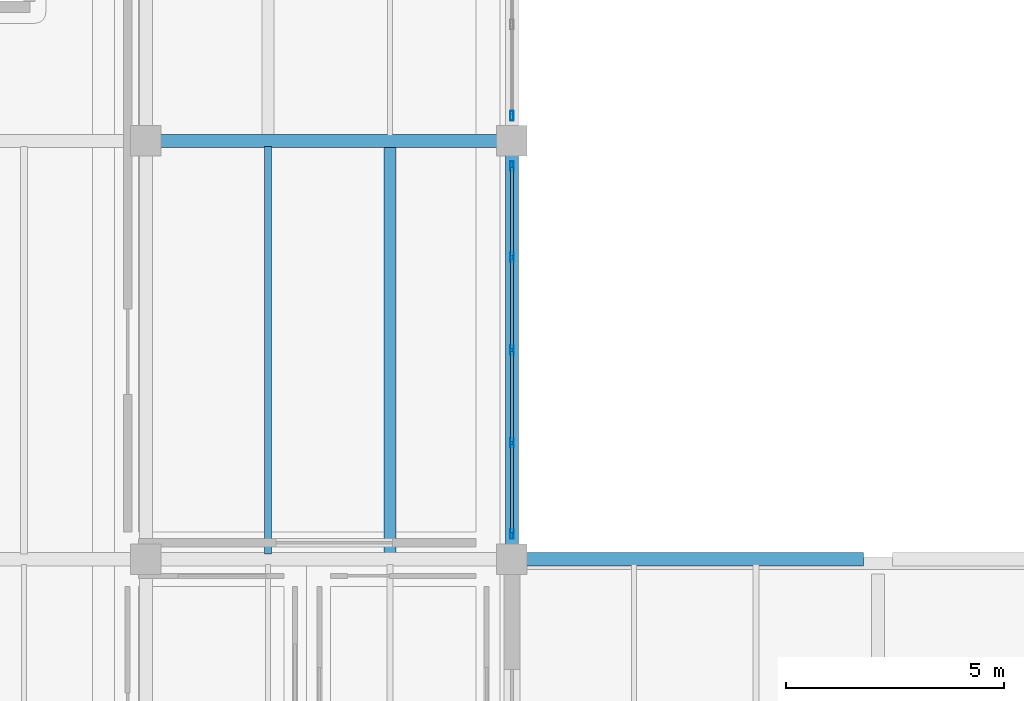
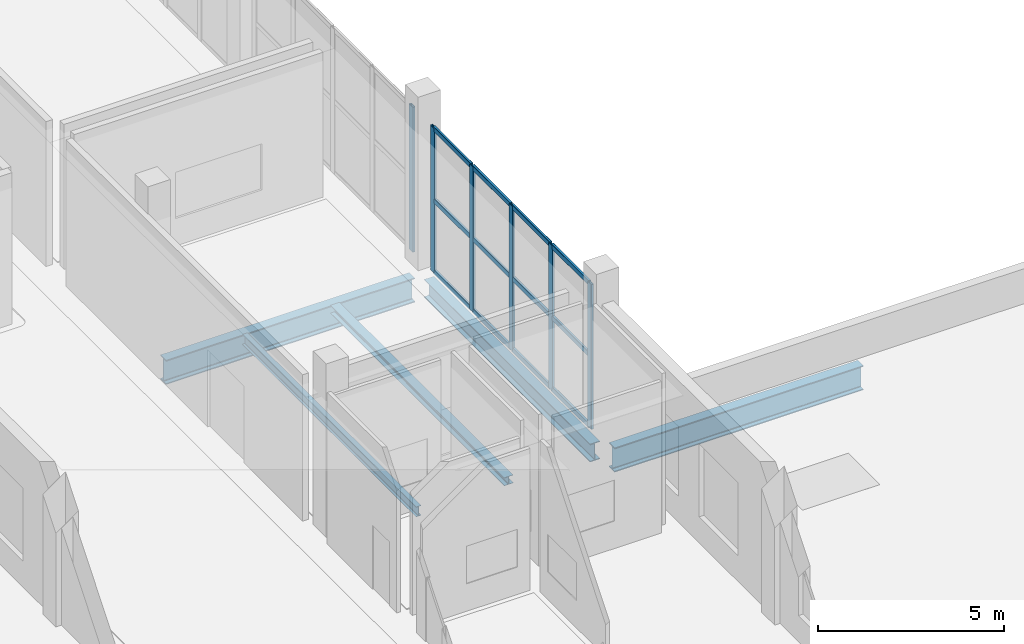
# One storey, part 20 of 49: 18 members, 5 beams, 2 elements without a shape of their own.
"""IFC4 building model written with IfcOpenShell, lengths in metres."""

from ifc_helpers import new_model, si_unit, direction, frame, origin, origin_2d, place, context, subcontext, project, spatial, hollow_rectangle, i_section, extrude, material, layer, layer_set, material_profile, profile_set, type_object, element, aggregate, save


model = new_model("IFC4")

# Units and contexts
model_context = context("Model", 3, precision=1e-05, world=origin(), true_north=direction((0.0, 1.0)))
body_context = subcontext(model_context, "Body", "Model", "MODEL_VIEW")
ifc_project = project(units=[si_unit("LENGTHUNIT", "METRE"), si_unit("AREAUNIT", "SQUARE_METRE"), si_unit("VOLUMEUNIT", "CUBIC_METRE"), si_unit("PLANEANGLEUNIT", "RADIAN"), si_unit("MASSUNIT", "GRAM", prefix="KILO")], contexts=[model_context])

# Site, building, storey
site_placement = place(None, origin())
site = spatial("IfcSite", under=ifc_project, at=site_placement, CompositionType="ELEMENT")
building_placement = place(site_placement, origin())
building = spatial("IfcBuilding", under=site, at=building_placement, Name="Zulmaris Art Gallery", CompositionType="ELEMENT")
storey_placement = place(building_placement, frame((0.0, 0.0, 20.699951171875)))
storey = spatial("IfcBuildingStorey", under=building, at=storey_placement, Name="L04", CompositionType="ELEMENT", Elevation=20.699951171875)

# Beams
ifc_material_1 = material(Name="Steel S355J2", Category="steel")
ifc_material_profile_1 = material_profile(ifc_material_1, i_section(OverallWidth=0.300048828125, OverallDepth=0.590087890625, WebThickness=0.012939453125, FlangeThickness=0.02490234375, FilletRadius=0.027099609375, at=origin_2d()), Name="HEA 600")
ifc_profile_set_1 = profile_set([ifc_material_profile_1], Name="Steel S355J2")
beam_type_1 = type_object("IfcBeamType", Name="BEAM-BM12", PredefinedType="BEAM", material=ifc_profile_set_1)
beam_1_placement = place(storey_placement, frame((158.39990234375, 31.534912109375, -0.655029296875), z_axis=(0.0, 1.0, 0.0), x_axis=(-1.0, 0.0, 0.0)))
element("IfcBeam", 1, at=beam_1_placement, inside=storey, type_object=beam_type_1, Name="L04 Y-girder (x=158.4, 31.2..40.8)", PredefinedType="BEAM", context=body_context, shape_type="SweptSolid", body=[
    extrude(i_section(OverallWidth=0.300048828125, OverallDepth=0.590087890625, WebThickness=0.012939453125, FlangeThickness=0.02490234375, FilletRadius=0.027099609375, at=origin_2d()), origin(), (0.0, 0.0, 1.0), 8.93017578125),
])
ifc_material_profile_2 = material_profile(ifc_material_1, i_section(OverallWidth=0.300048828125, OverallDepth=0.800048828125, WebThickness=0.017578125, FlangeThickness=0.032958984375, FilletRadius=0.030029296875, at=origin_2d()), Name="HEB 800")
ifc_profile_set_2 = profile_set([ifc_material_profile_2], Name="Steel S355J2")
beam_type_2 = type_object("IfcBeamType", Name="BEAM-BM17", PredefinedType="BEAM", material=ifc_profile_set_2)
for number, where, z_axis, x_axis, name in (
    (2, (158.735107421875, 31.199951171875, -0.760009765625), (1.0, 0.0, 0.0), (0.0, 1.0, 0.0), "L04 X-girder (158.4..166.8, y=31.2)"),
    (3, (150.3349609375, 40.800048828125, -0.760009765625), (1.0, 0.0, 0.0), (0.0, 1.0, 0.0), "L04 X-girder (150.0..158.4, y=40.8)"),
):
    element("IfcBeam", number, at=place(storey_placement, frame(where, z_axis=z_axis, x_axis=x_axis)), inside=storey, type_object=beam_type_2, Name=name, PredefinedType="BEAM", context=body_context, shape_type="SweptSolid", body=[
        extrude(i_section(OverallWidth=0.300048828125, OverallDepth=0.800048828125, WebThickness=0.017578125, FlangeThickness=0.032958984375, FilletRadius=0.030029296875, at=origin_2d()), origin(), (0.0, 0.0, 1.0), 7.72998046875),
    ])
ifc_material_profile_3 = material_profile(ifc_material_1, i_section(OverallWidth=0.159912109375, OverallDepth=0.330078125, WebThickness=0.007568359375, FlangeThickness=0.011474609375, FilletRadius=0.01806640625, at=origin_2d()), Name="IPE 330")
ifc_profile_set_3 = profile_set([ifc_material_profile_3], Name="Steel S355J2")
beam_type_3 = type_object("IfcBeamType", Name="BEAM-JS03", PredefinedType="JOIST", material=ifc_profile_set_3)
beam_2_placement = place(storey_placement, frame((152.800048828125, 31.324951171875, -0.52490234375), z_axis=(0.0, 1.0, 0.0), x_axis=(-1.0, 0.0, 0.0)))
element("IfcBeam", 4, at=beam_2_placement, inside=storey, type_object=beam_type_3, Name="L04 secondary joist at x=152.8", PredefinedType="JOIST", context=body_context, shape_type="SweptSolid", body=[
    extrude(i_section(OverallWidth=0.159912109375, OverallDepth=0.330078125, WebThickness=0.007568359375, FlangeThickness=0.011474609375, FilletRadius=0.01806640625, at=origin_2d()), origin(), (0.0, 0.0, 1.0), 9.35009765625),
])
ifc_material_profile_4 = material_profile(ifc_material_1, i_section(OverallWidth=0.280029296875, OverallDepth=0.27001953125, WebThickness=0.008056640625, FlangeThickness=0.012939453125, FilletRadius=0.02392578125, at=origin_2d()), Name="HEA 280")
ifc_profile_set_4 = profile_set([ifc_material_profile_4], Name="Steel S355J2")
beam_type_4 = type_object("IfcBeamType", Name="BEAM-JS04", PredefinedType="JOIST", material=ifc_profile_set_4)
beam_3_placement = place(storey_placement, frame((155.60009765625, 31.324951171875, -0.494873046875), z_axis=(0.0, 1.0, 0.0), x_axis=(-1.0, 0.0, 0.0)))
element("IfcBeam", 5, at=beam_3_placement, inside=storey, type_object=beam_type_4, Name="L04 secondary joist at x=155.6", PredefinedType="JOIST", context=body_context, shape_type="SweptSolid", body=[
    extrude(i_section(OverallWidth=0.280029296875, OverallDepth=0.27001953125, WebThickness=0.008056640625, FlangeThickness=0.012939453125, FilletRadius=0.02392578125, at=origin_2d()), origin(), (0.0, 0.0, 1.0), 9.35009765625),
])

# Curtain wall, members
ifc_material_2 = material(Name="Courtyard Artists Studio Curtain Wall", Category="aluminium")
ifc_layer = layer(ifc_material_2, 0.179931640625)
ifc_layer_set = layer_set([ifc_layer], Name="Courtyard Artists Studio Curtain Wall")
curtain_wall_type = type_object("IfcCurtainWallType", Name="CW-CW04", PredefinedType="NOTDEFINED", material=ifc_layer_set)
curtain_wall_1_placement = place(storey_placement, origin())
curtain_wall_1 = element("IfcCurtainWall", 6, at=curtain_wall_1_placement, inside=storey, type_object=curtain_wall_type, Name="L04 curtain wall 159", PredefinedType="NOTDEFINED")
ifc_material_3 = material(Name="Anodised Bronze Aluminium", Category="aluminium")
ifc_material_profile_5 = material_profile(ifc_material_3, hollow_rectangle(XDim=0.074951171875, YDim=0.219970703125, WallThickness=0.0048828125, InnerFilletRadius=0.007568359375, OuterFilletRadius=0.012451171875, at=origin_2d()), Name="ALU 75x220x5")
ifc_profile_set_5 = profile_set([ifc_material_profile_5], Name="Anodised Bronze Aluminium")
member_type_1 = type_object("IfcMemberType", Name="CWMUL-02", PredefinedType="MULLION", material=ifc_profile_set_5)
member_1_placement = place(storey_placement, frame((158.39990234375, 31.777587890625, 0.0), z_axis=(0.0, 0.0, 1.0), x_axis=(-1.0, 0.0, 0.0)))
member_1 = element("IfcMember", 7, at=member_1_placement, type_object=member_type_1, Name="CW04 mullion 1", PredefinedType="MULLION", context=body_context, shape_type="SweptSolid", body=[
    extrude(hollow_rectangle(XDim=0.074951171875, YDim=0.219970703125, WallThickness=0.0048828125, InnerFilletRadius=0.007568359375, OuterFilletRadius=0.012451171875, at=origin_2d()), origin(), (0.0, 0.0, 1.0), 4.760009765625),
])
member_2_placement = place(storey_placement, frame((158.39990234375, 33.8701171875, 0.0), z_axis=(0.0, 0.0, 1.0), x_axis=(-1.0, 0.0, 0.0)))
member_2 = element("IfcMember", 8, at=member_2_placement, type_object=member_type_1, Name="CW04 mullion 2", PredefinedType="MULLION", context=body_context, shape_type="SweptSolid", body=[
    extrude(hollow_rectangle(XDim=0.074951171875, YDim=0.219970703125, WallThickness=0.0048828125, InnerFilletRadius=0.007568359375, OuterFilletRadius=0.012451171875, at=origin_2d()), origin(), (0.0, 0.0, 1.0), 4.760009765625),
])
member_3_placement = place(storey_placement, frame((158.39990234375, 36.0, 0.0), z_axis=(0.0, 0.0, 1.0), x_axis=(-1.0, 0.0, 0.0)))
member_3 = element("IfcMember", 9, at=member_3_placement, type_object=member_type_1, Name="CW04 mullion 3", PredefinedType="MULLION", context=body_context, shape_type="SweptSolid", body=[
    extrude(hollow_rectangle(XDim=0.074951171875, YDim=0.219970703125, WallThickness=0.0048828125, InnerFilletRadius=0.007568359375, OuterFilletRadius=0.012451171875, at=origin_2d()), origin(), (0.0, 0.0, 1.0), 4.760009765625),
])
member_4_placement = place(storey_placement, frame((158.39990234375, 38.1298828125, 0.0), z_axis=(0.0, 0.0, 1.0), x_axis=(-1.0, 0.0, 0.0)))
member_4 = element("IfcMember", 10, at=member_4_placement, type_object=member_type_1, Name="CW04 mullion 4", PredefinedType="MULLION", context=body_context, shape_type="SweptSolid", body=[
    extrude(hollow_rectangle(XDim=0.074951171875, YDim=0.219970703125, WallThickness=0.0048828125, InnerFilletRadius=0.007568359375, OuterFilletRadius=0.012451171875, at=origin_2d()), origin(), (0.0, 0.0, 1.0), 4.760009765625),
])
member_5_placement = place(storey_placement, frame((158.39990234375, 40.222412109375, 0.0), z_axis=(0.0, 0.0, 1.0), x_axis=(-1.0, 0.0, 0.0)))
member_5 = element("IfcMember", 11, at=member_5_placement, type_object=member_type_1, Name="CW04 mullion 5", PredefinedType="MULLION", context=body_context, shape_type="SweptSolid", body=[
    extrude(hollow_rectangle(XDim=0.074951171875, YDim=0.219970703125, WallThickness=0.0048828125, InnerFilletRadius=0.007568359375, OuterFilletRadius=0.012451171875, at=origin_2d()), origin(), (0.0, 0.0, 1.0), 4.760009765625),
])

# Curtain wall, member
curtain_wall_2_placement = place(storey_placement, origin())
curtain_wall_2 = element("IfcCurtainWall", 12, at=curtain_wall_2_placement, inside=storey, type_object=curtain_wall_type, Name="L04 curtain wall 160", PredefinedType="NOTDEFINED")
member_6_placement = place(storey_placement, frame((158.39990234375, 41.37744140625, 0.0), z_axis=(0.0, 0.0, 1.0), x_axis=(-1.0, 0.0, 0.0)))
member_6 = element("IfcMember", 13, at=member_6_placement, type_object=member_type_1, Name="CW04 mullion 1", PredefinedType="MULLION", context=body_context, shape_type="SweptSolid", body=[
    extrude(hollow_rectangle(XDim=0.074951171875, YDim=0.219970703125, WallThickness=0.0048828125, InnerFilletRadius=0.007568359375, OuterFilletRadius=0.012451171875, at=origin_2d()), origin(), (0.0, 0.0, 1.0), 4.760009765625),
])
aggregate(curtain_wall_2, [member_6])

# Member
ifc_material_profile_6 = material_profile(ifc_material_3, hollow_rectangle(XDim=0.074951171875, YDim=0.159912109375, WallThickness=0.00390625, InnerFilletRadius=0.006103515625, OuterFilletRadius=0.010009765625, at=origin_2d()), Name="ALU 75x160x4")
ifc_profile_set_6 = profile_set([ifc_material_profile_6], Name="Anodised Bronze Aluminium")
member_type_2 = type_object("IfcMemberType", Name="CWTRN-02", PredefinedType="USERDEFINED", material=ifc_profile_set_6)
member_7_placement = place(storey_placement, frame((158.39990234375, 31.81494140625, 0.03759765625), z_axis=(0.0, 1.0, 0.0), x_axis=(-1.0, 0.0, 0.0)))
member_7 = element("IfcMember", 14, at=member_7_placement, type_object=member_type_2, Name="CW04 transom 1.1", ObjectType="TRANSOM", PredefinedType="USERDEFINED", context=body_context, shape_type="SweptSolid", body=[
    extrude(hollow_rectangle(XDim=0.074951171875, YDim=0.159912109375, WallThickness=0.00390625, InnerFilletRadius=0.006103515625, OuterFilletRadius=0.010009765625, at=origin_2d()), origin(), (0.0, 0.0, 1.0), 2.017578125),
])

member_8_placement = place(storey_placement, frame((158.39990234375, 31.81494140625, 2.380126953125), z_axis=(0.0, 1.0, 0.0), x_axis=(-1.0, 0.0, 0.0)))
member_8 = element("IfcMember", 15, at=member_8_placement, type_object=member_type_2, Name="CW04 transom 1.2", ObjectType="TRANSOM", PredefinedType="USERDEFINED", context=body_context, shape_type="SweptSolid", body=[
    extrude(hollow_rectangle(XDim=0.074951171875, YDim=0.159912109375, WallThickness=0.00390625, InnerFilletRadius=0.006103515625, OuterFilletRadius=0.010009765625, at=origin_2d()), origin(), (0.0, 0.0, 1.0), 2.017578125),
])

member_9_placement = place(storey_placement, frame((158.39990234375, 31.81494140625, 4.72265625), z_axis=(0.0, 1.0, 0.0), x_axis=(-1.0, 0.0, 0.0)))
member_9 = element("IfcMember", 16, at=member_9_placement, type_object=member_type_2, Name="CW04 transom 1.3", ObjectType="TRANSOM", PredefinedType="USERDEFINED", context=body_context, shape_type="SweptSolid", body=[
    extrude(hollow_rectangle(XDim=0.074951171875, YDim=0.159912109375, WallThickness=0.00390625, InnerFilletRadius=0.006103515625, OuterFilletRadius=0.010009765625, at=origin_2d()), origin(), (0.0, 0.0, 1.0), 2.017578125),
])

member_10_placement = place(storey_placement, frame((158.39990234375, 33.907470703125, 0.03759765625), z_axis=(0.0, 1.0, 0.0), x_axis=(-1.0, 0.0, 0.0)))
member_10 = element("IfcMember", 17, at=member_10_placement, type_object=member_type_2, Name="CW04 transom 2.1", ObjectType="TRANSOM", PredefinedType="USERDEFINED", context=body_context, shape_type="SweptSolid", body=[
    extrude(hollow_rectangle(XDim=0.074951171875, YDim=0.159912109375, WallThickness=0.00390625, InnerFilletRadius=0.006103515625, OuterFilletRadius=0.010009765625, at=origin_2d()), origin(), (0.0, 0.0, 1.0), 2.054931640625),
])

member_11_placement = place(storey_placement, frame((158.39990234375, 33.907470703125, 2.380126953125), z_axis=(0.0, 1.0, 0.0), x_axis=(-1.0, 0.0, 0.0)))
member_11 = element("IfcMember", 18, at=member_11_placement, type_object=member_type_2, Name="CW04 transom 2.2", ObjectType="TRANSOM", PredefinedType="USERDEFINED", context=body_context, shape_type="SweptSolid", body=[
    extrude(hollow_rectangle(XDim=0.074951171875, YDim=0.159912109375, WallThickness=0.00390625, InnerFilletRadius=0.006103515625, OuterFilletRadius=0.010009765625, at=origin_2d()), origin(), (0.0, 0.0, 1.0), 2.054931640625),
])

member_12_placement = place(storey_placement, frame((158.39990234375, 33.907470703125, 4.72265625), z_axis=(0.0, 1.0, 0.0), x_axis=(-1.0, 0.0, 0.0)))
member_12 = element("IfcMember", 19, at=member_12_placement, type_object=member_type_2, Name="CW04 transom 2.3", ObjectType="TRANSOM", PredefinedType="USERDEFINED", context=body_context, shape_type="SweptSolid", body=[
    extrude(hollow_rectangle(XDim=0.074951171875, YDim=0.159912109375, WallThickness=0.00390625, InnerFilletRadius=0.006103515625, OuterFilletRadius=0.010009765625, at=origin_2d()), origin(), (0.0, 0.0, 1.0), 2.054931640625),
])

member_13_placement = place(storey_placement, frame((158.39990234375, 36.03759765625, 0.03759765625), z_axis=(0.0, 1.0, 0.0), x_axis=(-1.0, 0.0, 0.0)))
member_13 = element("IfcMember", 20, at=member_13_placement, type_object=member_type_2, Name="CW04 transom 3.1", ObjectType="TRANSOM", PredefinedType="USERDEFINED", context=body_context, shape_type="SweptSolid", body=[
    extrude(hollow_rectangle(XDim=0.074951171875, YDim=0.159912109375, WallThickness=0.00390625, InnerFilletRadius=0.006103515625, OuterFilletRadius=0.010009765625, at=origin_2d()), origin(), (0.0, 0.0, 1.0), 2.054931640625),
])

member_14_placement = place(storey_placement, frame((158.39990234375, 36.03759765625, 2.380126953125), z_axis=(0.0, 1.0, 0.0), x_axis=(-1.0, 0.0, 0.0)))
member_14 = element("IfcMember", 21, at=member_14_placement, type_object=member_type_2, Name="CW04 transom 3.2", ObjectType="TRANSOM", PredefinedType="USERDEFINED", context=body_context, shape_type="SweptSolid", body=[
    extrude(hollow_rectangle(XDim=0.074951171875, YDim=0.159912109375, WallThickness=0.00390625, InnerFilletRadius=0.006103515625, OuterFilletRadius=0.010009765625, at=origin_2d()), origin(), (0.0, 0.0, 1.0), 2.054931640625),
])

member_15_placement = place(storey_placement, frame((158.39990234375, 36.03759765625, 4.72265625), z_axis=(0.0, 1.0, 0.0), x_axis=(-1.0, 0.0, 0.0)))
member_15 = element("IfcMember", 22, at=member_15_placement, type_object=member_type_2, Name="CW04 transom 3.3", ObjectType="TRANSOM", PredefinedType="USERDEFINED", context=body_context, shape_type="SweptSolid", body=[
    extrude(hollow_rectangle(XDim=0.074951171875, YDim=0.159912109375, WallThickness=0.00390625, InnerFilletRadius=0.006103515625, OuterFilletRadius=0.010009765625, at=origin_2d()), origin(), (0.0, 0.0, 1.0), 2.054931640625),
])

member_16_placement = place(storey_placement, frame((158.39990234375, 38.16748046875, 0.03759765625), z_axis=(0.0, 1.0, 0.0), x_axis=(-1.0, 0.0, 0.0)))
member_16 = element("IfcMember", 23, at=member_16_placement, type_object=member_type_2, Name="CW04 transom 4.1", ObjectType="TRANSOM", PredefinedType="USERDEFINED", context=body_context, shape_type="SweptSolid", body=[
    extrude(hollow_rectangle(XDim=0.074951171875, YDim=0.159912109375, WallThickness=0.00390625, InnerFilletRadius=0.006103515625, OuterFilletRadius=0.010009765625, at=origin_2d()), origin(), (0.0, 0.0, 1.0), 2.017578125),
])

member_17_placement = place(storey_placement, frame((158.39990234375, 38.16748046875, 2.380126953125), z_axis=(0.0, 1.0, 0.0), x_axis=(-1.0, 0.0, 0.0)))
member_17 = element("IfcMember", 24, at=member_17_placement, type_object=member_type_2, Name="CW04 transom 4.2", ObjectType="TRANSOM", PredefinedType="USERDEFINED", context=body_context, shape_type="SweptSolid", body=[
    extrude(hollow_rectangle(XDim=0.074951171875, YDim=0.159912109375, WallThickness=0.00390625, InnerFilletRadius=0.006103515625, OuterFilletRadius=0.010009765625, at=origin_2d()), origin(), (0.0, 0.0, 1.0), 2.017578125),
])

member_18_placement = place(storey_placement, frame((158.39990234375, 38.16748046875, 4.72265625), z_axis=(0.0, 1.0, 0.0), x_axis=(-1.0, 0.0, 0.0)))
member_18 = element("IfcMember", 25, at=member_18_placement, type_object=member_type_2, Name="CW04 transom 4.3", ObjectType="TRANSOM", PredefinedType="USERDEFINED", context=body_context, shape_type="SweptSolid", body=[
    extrude(hollow_rectangle(XDim=0.074951171875, YDim=0.159912109375, WallThickness=0.00390625, InnerFilletRadius=0.006103515625, OuterFilletRadius=0.010009765625, at=origin_2d()), origin(), (0.0, 0.0, 1.0), 2.017578125),
])

aggregate(curtain_wall_1, [member_1, member_2, member_3, member_4, member_5, member_7, member_8, member_9, member_10, member_11, member_12, member_13, member_14, member_15, member_16, member_17, member_18])

save(model, "model.ifc")
